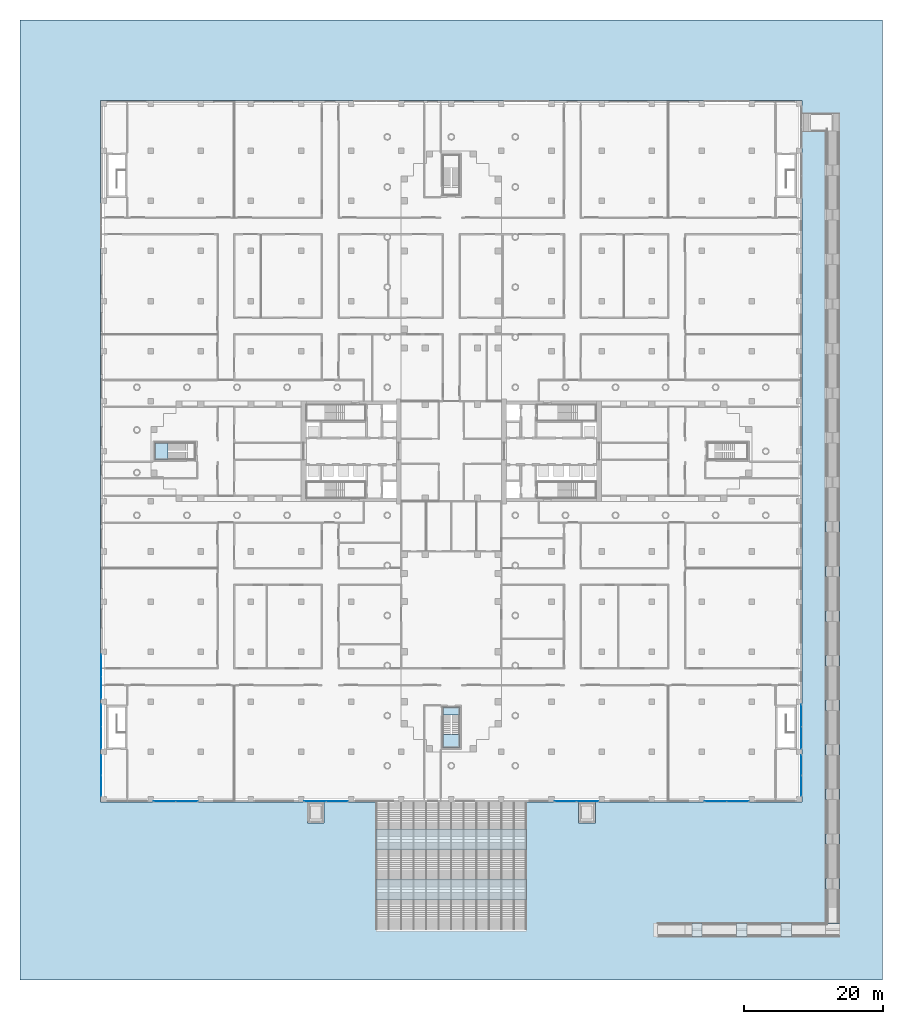
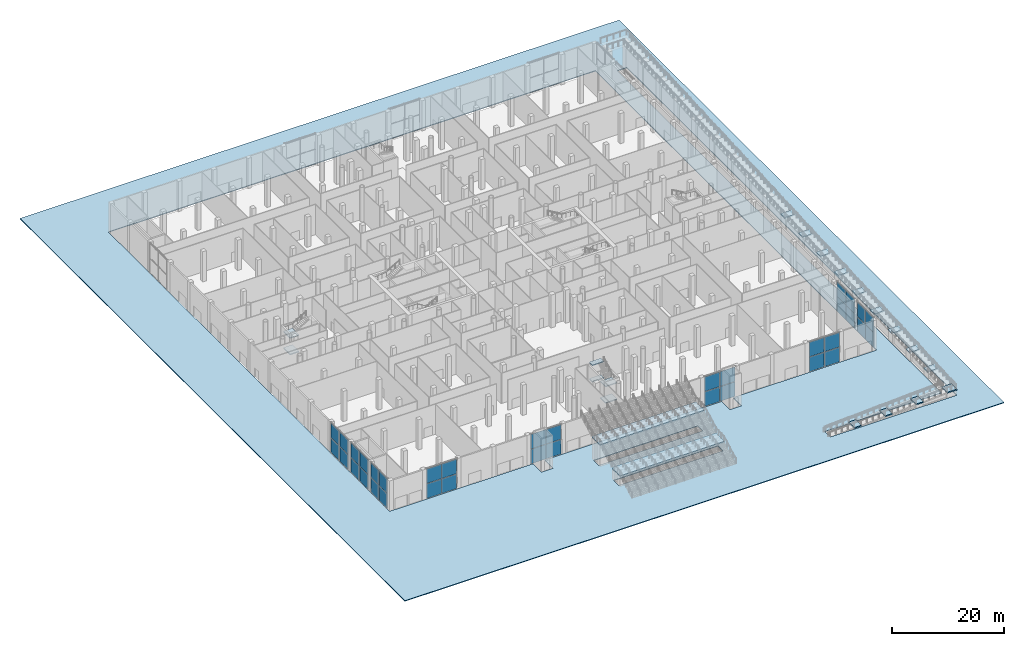
# One storey, part 12 of 44: 36 plates, 22 slabs, 13 elements without a shape of their own.
"""IFC4 building model written with IfcOpenShell, lengths in metres."""

from ifc_helpers import new_model, si_unit, direction, frame, origin, origin_2d, place, context, subcontext, project, spatial, polyline, rectangle, outline, extrude, material, layer, layer_set, type_object, element, aggregate, save


model = new_model("IFC4")

# Units and contexts
model_context = context("Model", 3, precision=1e-05, world=origin(), true_north=direction((0.0, 1.0)))
body_context = subcontext(model_context, "Body", "Model", "MODEL_VIEW")
ifc_project = project(units=[si_unit("LENGTHUNIT", "METRE"), si_unit("AREAUNIT", "SQUARE_METRE"), si_unit("VOLUMEUNIT", "CUBIC_METRE"), si_unit("PLANEANGLEUNIT", "RADIAN"), si_unit("MASSUNIT", "GRAM", prefix="KILO")], contexts=[model_context])

# Site, building, storey
site_placement = place(None, origin())
site = spatial("IfcSite", under=ifc_project, at=site_placement, CompositionType="ELEMENT")
building_placement = place(site_placement, origin())
building = spatial("IfcBuilding", under=site, at=building_placement, Name="Fustian Cross Tower", CompositionType="ELEMENT")
storey_placement = place(building_placement, origin())
storey = spatial("IfcBuildingStorey", under=building, at=storey_placement, Name="L00", CompositionType="ELEMENT", Elevation=0.0)

# Curtain wall, plates
ifc_material_1 = material(Name="Glass", Category="glass")
curtain_wall_type = type_object("IfcCurtainWallType", Name="CW3 CURTAIN WALL", PredefinedType="NOTDEFINED", material=ifc_material_1)
curtain_wall_1_placement = place(storey_placement, origin())
curtain_wall_1 = element("IfcCurtainWall", 1, at=curtain_wall_1_placement, inside=storey, type_object=curtain_wall_type, Name="Curtain wall CW3", PredefinedType="NOTDEFINED")
ifc_material_2 = material(Name="Glass", Category="glass")
ifc_layer_1 = layer(ifc_material_2, 0.028076171875)
ifc_layer_set_1 = layer_set([ifc_layer_1], Name="Glass")
plate_type = type_object("IfcPlateType", Name="CW3 PANEL IGU28", PredefinedType="CURTAIN_PANEL", material=ifc_layer_set_1)
plate_1_placement = place(storey_placement, frame((-41.18505859375, -50.320068359375, 0.06005859375), z_axis=(0.0, 0.0, 1.0), x_axis=(1.0, 0.0, 0.0)))
plate_1 = element("IfcPlate", 2, at=plate_1_placement, type_object=plate_type, Name="CW3 panel 1.1", PredefinedType="CURTAIN_PANEL", context=body_context, shape_type="SweptSolid", body=[
    extrude(rectangle(XDim=3.110107421875, YDim=0.028076171875, at=origin_2d()), origin(), (0.0, 0.0, 1.0), 3.2099609375),
])
plate_2_placement = place(storey_placement, frame((-41.18505859375, -50.320068359375, 3.330078125), z_axis=(0.0, 0.0, 1.0), x_axis=(1.0, 0.0, 0.0)))
plate_2 = element("IfcPlate", 3, at=plate_2_placement, type_object=plate_type, Name="CW3 panel 1.2", PredefinedType="CURTAIN_PANEL", context=body_context, shape_type="SweptSolid", body=[
    extrude(rectangle(XDim=3.110107421875, YDim=0.028076171875, at=origin_2d()), origin(), (0.0, 0.0, 1.0), 3.2099609375),
])
plate_3_placement = place(storey_placement, frame((-38.014892578125, -50.320068359375, 0.06005859375), z_axis=(0.0, 0.0, 1.0), x_axis=(1.0, 0.0, 0.0)))
plate_3 = element("IfcPlate", 4, at=plate_3_placement, type_object=plate_type, Name="CW3 panel 2.1", PredefinedType="CURTAIN_PANEL", context=body_context, shape_type="SweptSolid", body=[
    extrude(rectangle(XDim=3.110107421875, YDim=0.028076171875, at=origin_2d()), origin(), (0.0, 0.0, 1.0), 3.2099609375),
])
plate_4_placement = place(storey_placement, frame((-38.014892578125, -50.320068359375, 3.330078125), z_axis=(0.0, 0.0, 1.0), x_axis=(1.0, 0.0, 0.0)))
plate_4 = element("IfcPlate", 5, at=plate_4_placement, type_object=plate_type, Name="CW3 panel 2.2", PredefinedType="CURTAIN_PANEL", context=body_context, shape_type="SweptSolid", body=[
    extrude(rectangle(XDim=3.110107421875, YDim=0.028076171875, at=origin_2d()), origin(), (0.0, 0.0, 1.0), 3.2099609375),
])
aggregate(curtain_wall_1, [plate_1, plate_2, plate_3, plate_4])

curtain_wall_2_placement = place(storey_placement, origin())
curtain_wall_2 = element("IfcCurtainWall", 6, at=curtain_wall_2_placement, inside=storey, type_object=curtain_wall_type, Name="Curtain wall CW3", PredefinedType="NOTDEFINED")
plate_5_placement = place(storey_placement, frame((-19.5849609375, -50.320068359375, 0.06005859375), z_axis=(0.0, 0.0, 1.0), x_axis=(1.0, 0.0, 0.0)))
plate_5 = element("IfcPlate", 7, at=plate_5_placement, type_object=plate_type, Name="CW3 panel 1.1", PredefinedType="CURTAIN_PANEL", context=body_context, shape_type="SweptSolid", body=[
    extrude(rectangle(XDim=3.110107421875, YDim=0.028076171875, at=origin_2d()), origin(), (0.0, 0.0, 1.0), 3.2099609375),
])
plate_6_placement = place(storey_placement, frame((-19.5849609375, -50.320068359375, 3.330078125), z_axis=(0.0, 0.0, 1.0), x_axis=(1.0, 0.0, 0.0)))
plate_6 = element("IfcPlate", 8, at=plate_6_placement, type_object=plate_type, Name="CW3 panel 1.2", PredefinedType="CURTAIN_PANEL", context=body_context, shape_type="SweptSolid", body=[
    extrude(rectangle(XDim=3.110107421875, YDim=0.028076171875, at=origin_2d()), origin(), (0.0, 0.0, 1.0), 3.2099609375),
])
plate_7_placement = place(storey_placement, frame((-16.4150390625, -50.320068359375, 0.06005859375), z_axis=(0.0, 0.0, 1.0), x_axis=(1.0, 0.0, 0.0)))
plate_7 = element("IfcPlate", 9, at=plate_7_placement, type_object=plate_type, Name="CW3 panel 2.1", PredefinedType="CURTAIN_PANEL", context=body_context, shape_type="SweptSolid", body=[
    extrude(rectangle(XDim=3.110107421875, YDim=0.028076171875, at=origin_2d()), origin(), (0.0, 0.0, 1.0), 3.2099609375),
])
plate_8_placement = place(storey_placement, frame((-16.4150390625, -50.320068359375, 3.330078125), z_axis=(0.0, 0.0, 1.0), x_axis=(1.0, 0.0, 0.0)))
plate_8 = element("IfcPlate", 10, at=plate_8_placement, type_object=plate_type, Name="CW3 panel 2.2", PredefinedType="CURTAIN_PANEL", context=body_context, shape_type="SweptSolid", body=[
    extrude(rectangle(XDim=3.110107421875, YDim=0.028076171875, at=origin_2d()), origin(), (0.0, 0.0, 1.0), 3.2099609375),
])
aggregate(curtain_wall_2, [plate_5, plate_6, plate_7, plate_8])

curtain_wall_3_placement = place(storey_placement, origin())
curtain_wall_3 = element("IfcCurtainWall", 11, at=curtain_wall_3_placement, inside=storey, type_object=curtain_wall_type, Name="Curtain wall CW3", PredefinedType="NOTDEFINED")
plate_9_placement = place(storey_placement, frame((16.4150390625, -50.320068359375, 0.06005859375), z_axis=(0.0, 0.0, 1.0), x_axis=(1.0, 0.0, 0.0)))
plate_9 = element("IfcPlate", 12, at=plate_9_placement, type_object=plate_type, Name="CW3 panel 1.1", PredefinedType="CURTAIN_PANEL", context=body_context, shape_type="SweptSolid", body=[
    extrude(rectangle(XDim=3.110107421875, YDim=0.028076171875, at=origin_2d()), origin(), (0.0, 0.0, 1.0), 3.2099609375),
])
plate_10_placement = place(storey_placement, frame((16.4150390625, -50.320068359375, 3.330078125), z_axis=(0.0, 0.0, 1.0), x_axis=(1.0, 0.0, 0.0)))
plate_10 = element("IfcPlate", 13, at=plate_10_placement, type_object=plate_type, Name="CW3 panel 1.2", PredefinedType="CURTAIN_PANEL", context=body_context, shape_type="SweptSolid", body=[
    extrude(rectangle(XDim=3.110107421875, YDim=0.028076171875, at=origin_2d()), origin(), (0.0, 0.0, 1.0), 3.2099609375),
])
plate_11_placement = place(storey_placement, frame((19.5849609375, -50.320068359375, 0.06005859375), z_axis=(0.0, 0.0, 1.0), x_axis=(1.0, 0.0, 0.0)))
plate_11 = element("IfcPlate", 14, at=plate_11_placement, type_object=plate_type, Name="CW3 panel 2.1", PredefinedType="CURTAIN_PANEL", context=body_context, shape_type="SweptSolid", body=[
    extrude(rectangle(XDim=3.110107421875, YDim=0.028076171875, at=origin_2d()), origin(), (0.0, 0.0, 1.0), 3.2099609375),
])
plate_12_placement = place(storey_placement, frame((19.5849609375, -50.320068359375, 3.330078125), z_axis=(0.0, 0.0, 1.0), x_axis=(1.0, 0.0, 0.0)))
plate_12 = element("IfcPlate", 15, at=plate_12_placement, type_object=plate_type, Name="CW3 panel 2.2", PredefinedType="CURTAIN_PANEL", context=body_context, shape_type="SweptSolid", body=[
    extrude(rectangle(XDim=3.110107421875, YDim=0.028076171875, at=origin_2d()), origin(), (0.0, 0.0, 1.0), 3.2099609375),
])
aggregate(curtain_wall_3, [plate_9, plate_10, plate_11, plate_12])

curtain_wall_4_placement = place(storey_placement, origin())
curtain_wall_4 = element("IfcCurtainWall", 16, at=curtain_wall_4_placement, inside=storey, type_object=curtain_wall_type, Name="Curtain wall CW3", PredefinedType="NOTDEFINED")
plate_13_placement = place(storey_placement, frame((38.014892578125, -50.320068359375, 0.06005859375), z_axis=(0.0, 0.0, 1.0), x_axis=(1.0, 0.0, 0.0)))
plate_13 = element("IfcPlate", 17, at=plate_13_placement, type_object=plate_type, Name="CW3 panel 1.1", PredefinedType="CURTAIN_PANEL", context=body_context, shape_type="SweptSolid", body=[
    extrude(rectangle(XDim=3.110107421875, YDim=0.028076171875, at=origin_2d()), origin(), (0.0, 0.0, 1.0), 3.2099609375),
])
plate_14_placement = place(storey_placement, frame((38.014892578125, -50.320068359375, 3.330078125), z_axis=(0.0, 0.0, 1.0), x_axis=(1.0, 0.0, 0.0)))
plate_14 = element("IfcPlate", 18, at=plate_14_placement, type_object=plate_type, Name="CW3 panel 1.2", PredefinedType="CURTAIN_PANEL", context=body_context, shape_type="SweptSolid", body=[
    extrude(rectangle(XDim=3.110107421875, YDim=0.028076171875, at=origin_2d()), origin(), (0.0, 0.0, 1.0), 3.2099609375),
])
plate_15_placement = place(storey_placement, frame((41.18505859375, -50.320068359375, 0.06005859375), z_axis=(0.0, 0.0, 1.0), x_axis=(1.0, 0.0, 0.0)))
plate_15 = element("IfcPlate", 19, at=plate_15_placement, type_object=plate_type, Name="CW3 panel 2.1", PredefinedType="CURTAIN_PANEL", context=body_context, shape_type="SweptSolid", body=[
    extrude(rectangle(XDim=3.110107421875, YDim=0.028076171875, at=origin_2d()), origin(), (0.0, 0.0, 1.0), 3.2099609375),
])
plate_16_placement = place(storey_placement, frame((41.18505859375, -50.320068359375, 3.330078125), z_axis=(0.0, 0.0, 1.0), x_axis=(1.0, 0.0, 0.0)))
plate_16 = element("IfcPlate", 20, at=plate_16_placement, type_object=plate_type, Name="CW3 panel 2.2", PredefinedType="CURTAIN_PANEL", context=body_context, shape_type="SweptSolid", body=[
    extrude(rectangle(XDim=3.110107421875, YDim=0.028076171875, at=origin_2d()), origin(), (0.0, 0.0, 1.0), 3.2099609375),
])
aggregate(curtain_wall_4, [plate_13, plate_14, plate_15, plate_16])

curtain_wall_5_placement = place(storey_placement, origin())
curtain_wall_5 = element("IfcCurtainWall", 21, at=curtain_wall_5_placement, inside=storey, type_object=curtain_wall_type, Name="Curtain wall CW3", PredefinedType="NOTDEFINED")
plate_17_placement = place(storey_placement, frame((50.320068359375, -48.0849609375, 0.06005859375), z_axis=(0.0, 0.0, 1.0), x_axis=(0.0, 1.0, 0.0)))
plate_17 = element("IfcPlate", 22, at=plate_17_placement, type_object=plate_type, Name="CW3 panel 1.1", PredefinedType="CURTAIN_PANEL", context=body_context, shape_type="SweptSolid", body=[
    extrude(rectangle(XDim=2.909912109375, YDim=0.028076171875, at=origin_2d()), origin(), (0.0, 0.0, 1.0), 3.2099609375),
])
plate_18_placement = place(storey_placement, frame((50.320068359375, -48.0849609375, 3.330078125), z_axis=(0.0, 0.0, 1.0), x_axis=(0.0, 1.0, 0.0)))
plate_18 = element("IfcPlate", 23, at=plate_18_placement, type_object=plate_type, Name="CW3 panel 1.2", PredefinedType="CURTAIN_PANEL", context=body_context, shape_type="SweptSolid", body=[
    extrude(rectangle(XDim=2.909912109375, YDim=0.028076171875, at=origin_2d()), origin(), (0.0, 0.0, 1.0), 3.2099609375),
])
plate_19_placement = place(storey_placement, frame((50.320068359375, -45.114990234375, 0.06005859375), z_axis=(0.0, 0.0, 1.0), x_axis=(0.0, 1.0, 0.0)))
plate_19 = element("IfcPlate", 24, at=plate_19_placement, type_object=plate_type, Name="CW3 panel 2.1", PredefinedType="CURTAIN_PANEL", context=body_context, shape_type="SweptSolid", body=[
    extrude(rectangle(XDim=2.909912109375, YDim=0.028076171875, at=origin_2d()), origin(), (0.0, 0.0, 1.0), 3.2099609375),
])
plate_20_placement = place(storey_placement, frame((50.320068359375, -45.114990234375, 3.330078125), z_axis=(0.0, 0.0, 1.0), x_axis=(0.0, 1.0, 0.0)))
plate_20 = element("IfcPlate", 25, at=plate_20_placement, type_object=plate_type, Name="CW3 panel 2.2", PredefinedType="CURTAIN_PANEL", context=body_context, shape_type="SweptSolid", body=[
    extrude(rectangle(XDim=2.909912109375, YDim=0.028076171875, at=origin_2d()), origin(), (0.0, 0.0, 1.0), 3.2099609375),
])
aggregate(curtain_wall_5, [plate_17, plate_18, plate_19, plate_20])

curtain_wall_6_placement = place(storey_placement, origin())
curtain_wall_6 = element("IfcCurtainWall", 26, at=curtain_wall_6_placement, inside=storey, type_object=curtain_wall_type, Name="Curtain wall CW3", PredefinedType="NOTDEFINED")
plate_21_placement = place(storey_placement, frame((50.320068359375, -41.18505859375, 0.06005859375), z_axis=(0.0, 0.0, 1.0), x_axis=(0.0, 1.0, 0.0)))
plate_21 = element("IfcPlate", 27, at=plate_21_placement, type_object=plate_type, Name="CW3 panel 1.1", PredefinedType="CURTAIN_PANEL", context=body_context, shape_type="SweptSolid", body=[
    extrude(rectangle(XDim=3.110107421875, YDim=0.028076171875, at=origin_2d()), origin(), (0.0, 0.0, 1.0), 3.2099609375),
])
plate_22_placement = place(storey_placement, frame((50.320068359375, -41.18505859375, 3.330078125), z_axis=(0.0, 0.0, 1.0), x_axis=(0.0, 1.0, 0.0)))
plate_22 = element("IfcPlate", 28, at=plate_22_placement, type_object=plate_type, Name="CW3 panel 1.2", PredefinedType="CURTAIN_PANEL", context=body_context, shape_type="SweptSolid", body=[
    extrude(rectangle(XDim=3.110107421875, YDim=0.028076171875, at=origin_2d()), origin(), (0.0, 0.0, 1.0), 3.2099609375),
])
plate_23_placement = place(storey_placement, frame((50.320068359375, -38.014892578125, 0.06005859375), z_axis=(0.0, 0.0, 1.0), x_axis=(0.0, 1.0, 0.0)))
plate_23 = element("IfcPlate", 29, at=plate_23_placement, type_object=plate_type, Name="CW3 panel 2.1", PredefinedType="CURTAIN_PANEL", context=body_context, shape_type="SweptSolid", body=[
    extrude(rectangle(XDim=3.110107421875, YDim=0.028076171875, at=origin_2d()), origin(), (0.0, 0.0, 1.0), 3.2099609375),
])
plate_24_placement = place(storey_placement, frame((50.320068359375, -38.014892578125, 3.330078125), z_axis=(0.0, 0.0, 1.0), x_axis=(0.0, 1.0, 0.0)))
plate_24 = element("IfcPlate", 30, at=plate_24_placement, type_object=plate_type, Name="CW3 panel 2.2", PredefinedType="CURTAIN_PANEL", context=body_context, shape_type="SweptSolid", body=[
    extrude(rectangle(XDim=3.110107421875, YDim=0.028076171875, at=origin_2d()), origin(), (0.0, 0.0, 1.0), 3.2099609375),
])
aggregate(curtain_wall_6, [plate_21, plate_22, plate_23, plate_24])

curtain_wall_7_placement = place(storey_placement, origin())
curtain_wall_7 = element("IfcCurtainWall", 31, at=curtain_wall_7_placement, inside=storey, type_object=curtain_wall_type, Name="Curtain wall CW3", PredefinedType="NOTDEFINED")
plate_25_placement = place(storey_placement, frame((-50.320068359375, -30.81494140625, 0.06005859375), z_axis=(0.0, 0.0, 1.0), x_axis=(0.0, -1.0, 0.0)))
plate_25 = element("IfcPlate", 32, at=plate_25_placement, type_object=plate_type, Name="CW3 panel 1.1", PredefinedType="CURTAIN_PANEL", context=body_context, shape_type="SweptSolid", body=[
    extrude(rectangle(XDim=3.110107421875, YDim=0.028076171875, at=origin_2d()), origin(), (0.0, 0.0, 1.0), 3.2099609375),
])
plate_26_placement = place(storey_placement, frame((-50.320068359375, -30.81494140625, 3.330078125), z_axis=(0.0, 0.0, 1.0), x_axis=(0.0, -1.0, 0.0)))
plate_26 = element("IfcPlate", 33, at=plate_26_placement, type_object=plate_type, Name="CW3 panel 1.2", PredefinedType="CURTAIN_PANEL", context=body_context, shape_type="SweptSolid", body=[
    extrude(rectangle(XDim=3.110107421875, YDim=0.028076171875, at=origin_2d()), origin(), (0.0, 0.0, 1.0), 3.2099609375),
])
plate_27_placement = place(storey_placement, frame((-50.320068359375, -33.985107421875, 0.06005859375), z_axis=(0.0, 0.0, 1.0), x_axis=(0.0, -1.0, 0.0)))
plate_27 = element("IfcPlate", 34, at=plate_27_placement, type_object=plate_type, Name="CW3 panel 2.1", PredefinedType="CURTAIN_PANEL", context=body_context, shape_type="SweptSolid", body=[
    extrude(rectangle(XDim=3.110107421875, YDim=0.028076171875, at=origin_2d()), origin(), (0.0, 0.0, 1.0), 3.2099609375),
])
plate_28_placement = place(storey_placement, frame((-50.320068359375, -33.985107421875, 3.330078125), z_axis=(0.0, 0.0, 1.0), x_axis=(0.0, -1.0, 0.0)))
plate_28 = element("IfcPlate", 35, at=plate_28_placement, type_object=plate_type, Name="CW3 panel 2.2", PredefinedType="CURTAIN_PANEL", context=body_context, shape_type="SweptSolid", body=[
    extrude(rectangle(XDim=3.110107421875, YDim=0.028076171875, at=origin_2d()), origin(), (0.0, 0.0, 1.0), 3.2099609375),
])
aggregate(curtain_wall_7, [plate_25, plate_26, plate_27, plate_28])

curtain_wall_8_placement = place(storey_placement, origin())
curtain_wall_8 = element("IfcCurtainWall", 36, at=curtain_wall_8_placement, inside=storey, type_object=curtain_wall_type, Name="Curtain wall CW3", PredefinedType="NOTDEFINED")
plate_29_placement = place(storey_placement, frame((-50.320068359375, -38.014892578125, 0.06005859375), z_axis=(0.0, 0.0, 1.0), x_axis=(0.0, -1.0, 0.0)))
plate_29 = element("IfcPlate", 37, at=plate_29_placement, type_object=plate_type, Name="CW3 panel 1.1", PredefinedType="CURTAIN_PANEL", context=body_context, shape_type="SweptSolid", body=[
    extrude(rectangle(XDim=3.110107421875, YDim=0.028076171875, at=origin_2d()), origin(), (0.0, 0.0, 1.0), 3.2099609375),
])
plate_30_placement = place(storey_placement, frame((-50.320068359375, -38.014892578125, 3.330078125), z_axis=(0.0, 0.0, 1.0), x_axis=(0.0, -1.0, 0.0)))
plate_30 = element("IfcPlate", 38, at=plate_30_placement, type_object=plate_type, Name="CW3 panel 1.2", PredefinedType="CURTAIN_PANEL", context=body_context, shape_type="SweptSolid", body=[
    extrude(rectangle(XDim=3.110107421875, YDim=0.028076171875, at=origin_2d()), origin(), (0.0, 0.0, 1.0), 3.2099609375),
])
plate_31_placement = place(storey_placement, frame((-50.320068359375, -41.18505859375, 0.06005859375), z_axis=(0.0, 0.0, 1.0), x_axis=(0.0, -1.0, 0.0)))
plate_31 = element("IfcPlate", 39, at=plate_31_placement, type_object=plate_type, Name="CW3 panel 2.1", PredefinedType="CURTAIN_PANEL", context=body_context, shape_type="SweptSolid", body=[
    extrude(rectangle(XDim=3.110107421875, YDim=0.028076171875, at=origin_2d()), origin(), (0.0, 0.0, 1.0), 3.2099609375),
])
plate_32_placement = place(storey_placement, frame((-50.320068359375, -41.18505859375, 3.330078125), z_axis=(0.0, 0.0, 1.0), x_axis=(0.0, -1.0, 0.0)))
plate_32 = element("IfcPlate", 40, at=plate_32_placement, type_object=plate_type, Name="CW3 panel 2.2", PredefinedType="CURTAIN_PANEL", context=body_context, shape_type="SweptSolid", body=[
    extrude(rectangle(XDim=3.110107421875, YDim=0.028076171875, at=origin_2d()), origin(), (0.0, 0.0, 1.0), 3.2099609375),
])
aggregate(curtain_wall_8, [plate_29, plate_30, plate_31, plate_32])

curtain_wall_9_placement = place(storey_placement, origin())
curtain_wall_9 = element("IfcCurtainWall", 41, at=curtain_wall_9_placement, inside=storey, type_object=curtain_wall_type, Name="Curtain wall CW3", PredefinedType="NOTDEFINED")
plate_33_placement = place(storey_placement, frame((-50.320068359375, -45.114990234375, 0.06005859375), z_axis=(0.0, 0.0, 1.0), x_axis=(0.0, -1.0, 0.0)))
plate_33 = element("IfcPlate", 42, at=plate_33_placement, type_object=plate_type, Name="CW3 panel 1.1", PredefinedType="CURTAIN_PANEL", context=body_context, shape_type="SweptSolid", body=[
    extrude(rectangle(XDim=2.909912109375, YDim=0.028076171875, at=origin_2d()), origin(), (0.0, 0.0, 1.0), 3.2099609375),
])
plate_34_placement = place(storey_placement, frame((-50.320068359375, -45.114990234375, 3.330078125), z_axis=(0.0, 0.0, 1.0), x_axis=(0.0, -1.0, 0.0)))
plate_34 = element("IfcPlate", 43, at=plate_34_placement, type_object=plate_type, Name="CW3 panel 1.2", PredefinedType="CURTAIN_PANEL", context=body_context, shape_type="SweptSolid", body=[
    extrude(rectangle(XDim=2.909912109375, YDim=0.028076171875, at=origin_2d()), origin(), (0.0, 0.0, 1.0), 3.2099609375),
])
plate_35_placement = place(storey_placement, frame((-50.320068359375, -48.0849609375, 0.06005859375), z_axis=(0.0, 0.0, 1.0), x_axis=(0.0, -1.0, 0.0)))
plate_35 = element("IfcPlate", 44, at=plate_35_placement, type_object=plate_type, Name="CW3 panel 2.1", PredefinedType="CURTAIN_PANEL", context=body_context, shape_type="SweptSolid", body=[
    extrude(rectangle(XDim=2.909912109375, YDim=0.028076171875, at=origin_2d()), origin(), (0.0, 0.0, 1.0), 3.2099609375),
])
plate_36_placement = place(storey_placement, frame((-50.320068359375, -48.0849609375, 3.330078125), z_axis=(0.0, 0.0, 1.0), x_axis=(0.0, -1.0, 0.0)))
plate_36 = element("IfcPlate", 45, at=plate_36_placement, type_object=plate_type, Name="CW3 panel 2.2", PredefinedType="CURTAIN_PANEL", context=body_context, shape_type="SweptSolid", body=[
    extrude(rectangle(XDim=2.909912109375, YDim=0.028076171875, at=origin_2d()), origin(), (0.0, 0.0, 1.0), 3.2099609375),
])
aggregate(curtain_wall_9, [plate_33, plate_34, plate_35, plate_36])

# Slab
ifc_material_3 = material(Name="Granite paving", Category="masonry")
ifc_layer_2 = layer(ifc_material_3, 0.14990234375)
ifc_layer_set_2 = layer_set([ifc_layer_2], Name="Granite paving")
slab_type_1 = type_object("IfcSlabType", Name="PLAZA PAVING 150", PredefinedType="USERDEFINED", material=ifc_layer_set_2)
slab_1_placement = place(storey_placement, frame((0.0, 0.0, -0.14990234375)))
element("IfcSlab", 46, at=slab_1_placement, inside=storey, type_object=slab_type_1, Name="Plaza paving 1", ObjectType="PAVING", PredefinedType="USERDEFINED", context=body_context, shape_type="SweptSolid", body=[
    extrude(outline(polyline([(-62.0, 62.0), (-62.0, -76.0), (62.0, -76.0), (62.0, 62.0), (-62.0, 62.0)]), holes=[polyline([(-18.300048828125, -53.39990234375), (-18.300048828125, -50.39990234375), (18.300048828125, -50.39990234375), (18.300048828125, -53.39990234375), (20.699951171875, -53.39990234375), (20.699951171875, -50.39990234375), (50.39990234375, -50.39990234375), (50.39990234375, 50.39990234375), (-50.39990234375, 50.39990234375), (-50.39990234375, -50.39990234375), (-20.699951171875, -50.39990234375), (-20.699951171875, -53.39990234375), (-18.300048828125, -53.39990234375)]), polyline([(53.800048828125, 48.463623046875), (53.800048828125, -67.800048828125), (29.66357421875, -67.800048828125), (29.66357421875, -69.800048828125), (53.800048828125, -69.800048828125), (55.800048828125, -69.800048828125), (55.800048828125, -67.800048828125), (55.800048828125, 48.463623046875), (53.800048828125, 48.463623046875)]), polyline([(-10.800048828125, -62.10009765625), (-10.800048828125, -63.89990234375), (10.800048828125, -63.89990234375), (10.800048828125, -62.10009765625), (-10.800048828125, -62.10009765625)]), polyline([(10.800048828125, -54.89990234375), (-10.800048828125, -54.89990234375), (-10.800048828125, -56.699951171875), (10.800048828125, -56.699951171875), (10.800048828125, -54.89990234375)])]), origin(), (0.0, 0.0, 1.0), 0.14990234375),
])

# Ramp, slabs
ifc_material_4 = material(Name="Concrete C40/50", Category="concrete")
ramp_placement = place(storey_placement, origin())
ramp = element("IfcRamp", 47, at=ramp_placement, inside=storey, material=ifc_material_4, Name="Public ramp", PredefinedType="STRAIGHT_RUN_RAMP")
ifc_material_5 = material(Name="Concrete C40/50", Category="concrete")
ifc_layer_3 = layer(ifc_material_5, 0.25)
ifc_layer_set_3 = layer_set([ifc_layer_3], Name="Concrete C40/50")
slab_type_2 = type_object("IfcSlabType", Name="RL1 RAMP LANDING 250", PredefinedType="LANDING", material=ifc_layer_set_3)
slab_2_placement = place(storey_placement, frame((0.0, 0.0, 0.07421875)))
slab_2 = element("IfcSlab", 48, at=slab_2_placement, type_object=slab_type_2, Name="Ramp landing 1", PredefinedType="LANDING", context=body_context, shape_type="SweptSolid", body=[
    extrude(outline(polyline([(34.57275390625, -69.800048828125), (36.07275390625, -69.800048828125), (36.07275390625, -67.800048828125), (34.57275390625, -67.800048828125), (34.57275390625, -69.800048828125)])), origin(), (0.0, 0.0, 1.0), 0.253173828125),
])
slab_3_placement = place(storey_placement, frame((0.0, 0.0, 0.401611328125)))
slab_3 = element("IfcSlab", 49, at=slab_3_placement, type_object=slab_type_2, Name="Ramp landing 2", PredefinedType="LANDING", context=body_context, shape_type="SweptSolid", body=[
    extrude(outline(polyline([(40.98193359375, -69.800048828125), (42.48193359375, -69.800048828125), (42.48193359375, -67.800048828125), (40.98193359375, -67.800048828125), (40.98193359375, -69.800048828125)])), origin(), (0.0, 0.0, 1.0), 0.2529296875),
])
slab_4_placement = place(storey_placement, frame((0.0, 0.0, 0.728759765625)))
slab_4 = element("IfcSlab", 50, at=slab_4_placement, type_object=slab_type_2, Name="Ramp landing 3", PredefinedType="LANDING", context=body_context, shape_type="SweptSolid", body=[
    extrude(outline(polyline([(47.390869140625, -69.800048828125), (48.890869140625, -69.800048828125), (48.890869140625, -67.800048828125), (47.390869140625, -67.800048828125), (47.390869140625, -69.800048828125)])), origin(), (0.0, 0.0, 1.0), 0.253173828125),
])
slab_5_placement = place(storey_placement, frame((0.0, 0.0, 1.05615234375)))
slab_5 = element("IfcSlab", 51, at=slab_5_placement, type_object=slab_type_2, Name="Ramp landing 4", PredefinedType="LANDING", context=body_context, shape_type="SweptSolid", body=[
    extrude(outline(polyline([(53.800048828125, -69.800048828125), (55.800048828125, -69.800048828125), (55.800048828125, -67.800048828125), (53.800048828125, -67.800048828125), (53.800048828125, -69.800048828125)])), origin(), (0.0, 0.0, 1.0), 0.2529296875),
])
slab_6_placement = place(storey_placement, frame((0.0, 0.0, 1.38330078125)))
slab_6 = element("IfcSlab", 52, at=slab_6_placement, type_object=slab_type_2, Name="Ramp landing 5", PredefinedType="LANDING", context=body_context, shape_type="SweptSolid", body=[
    extrude(outline(polyline([(53.800048828125, -62.890869140625), (55.800048828125, -62.890869140625), (55.800048828125, -61.390869140625), (53.800048828125, -61.390869140625), (53.800048828125, -62.890869140625)])), origin(), (0.0, 0.0, 1.0), 0.253173828125),
])
slab_7_placement = place(storey_placement, frame((0.0, 0.0, 1.710693359375)))
slab_7 = element("IfcSlab", 53, at=slab_7_placement, type_object=slab_type_2, Name="Ramp landing 6", PredefinedType="LANDING", context=body_context, shape_type="SweptSolid", body=[
    extrude(outline(polyline([(53.800048828125, -56.48193359375), (55.800048828125, -56.48193359375), (55.800048828125, -54.98193359375), (53.800048828125, -54.98193359375), (53.800048828125, -56.48193359375)])), origin(), (0.0, 0.0, 1.0), 0.2529296875),
])
slab_8_placement = place(storey_placement, frame((0.0, 0.0, 2.037841796875)))
slab_8 = element("IfcSlab", 54, at=slab_8_placement, type_object=slab_type_2, Name="Ramp landing 7", PredefinedType="LANDING", context=body_context, shape_type="SweptSolid", body=[
    extrude(outline(polyline([(53.800048828125, -50.07275390625), (55.800048828125, -50.07275390625), (55.800048828125, -48.57275390625), (53.800048828125, -48.57275390625), (53.800048828125, -50.07275390625)])), origin(), (0.0, 0.0, 1.0), 0.253173828125),
])
slab_9_placement = place(storey_placement, frame((0.0, 0.0, 2.365234375)))
slab_9 = element("IfcSlab", 55, at=slab_9_placement, type_object=slab_type_2, Name="Ramp landing 8", PredefinedType="LANDING", context=body_context, shape_type="SweptSolid", body=[
    extrude(outline(polyline([(53.800048828125, -43.66357421875), (55.800048828125, -43.66357421875), (55.800048828125, -42.16357421875), (53.800048828125, -42.16357421875), (53.800048828125, -43.66357421875)])), origin(), (0.0, 0.0, 1.0), 0.2529296875),
])
slab_10_placement = place(storey_placement, frame((0.0, 0.0, 2.6923828125)))
slab_10 = element("IfcSlab", 56, at=slab_10_placement, type_object=slab_type_2, Name="Ramp landing 9", PredefinedType="LANDING", context=body_context, shape_type="SweptSolid", body=[
    extrude(outline(polyline([(53.800048828125, -37.254638671875), (55.800048828125, -37.254638671875), (55.800048828125, -35.754638671875), (53.800048828125, -35.754638671875), (53.800048828125, -37.254638671875)])), origin(), (0.0, 0.0, 1.0), 0.253173828125),
])
slab_11_placement = place(storey_placement, frame((0.0, 0.0, 3.019775390625)))
slab_11 = element("IfcSlab", 57, at=slab_11_placement, type_object=slab_type_2, Name="Ramp landing 10", PredefinedType="LANDING", context=body_context, shape_type="SweptSolid", body=[
    extrude(outline(polyline([(53.800048828125, -30.845458984375), (55.800048828125, -30.845458984375), (55.800048828125, -29.345458984375), (53.800048828125, -29.345458984375), (53.800048828125, -30.845458984375)])), origin(), (0.0, 0.0, 1.0), 0.2529296875),
])
slab_12_placement = place(storey_placement, frame((0.0, 0.0, 3.346923828125)))
slab_12 = element("IfcSlab", 58, at=slab_12_placement, type_object=slab_type_2, Name="Ramp landing 11", PredefinedType="LANDING", context=body_context, shape_type="SweptSolid", body=[
    extrude(outline(polyline([(53.800048828125, -24.436279296875), (55.800048828125, -24.436279296875), (55.800048828125, -22.936279296875), (53.800048828125, -22.936279296875), (53.800048828125, -24.436279296875)])), origin(), (0.0, 0.0, 1.0), 0.253173828125),
])
slab_13_placement = place(storey_placement, frame((0.0, 0.0, 3.67431640625)))
slab_13 = element("IfcSlab", 59, at=slab_13_placement, type_object=slab_type_2, Name="Ramp landing 12", PredefinedType="LANDING", context=body_context, shape_type="SweptSolid", body=[
    extrude(outline(polyline([(53.800048828125, -18.02734375), (55.800048828125, -18.02734375), (55.800048828125, -16.52734375), (53.800048828125, -16.52734375), (53.800048828125, -18.02734375)])), origin(), (0.0, 0.0, 1.0), 0.2529296875),
])
slab_14_placement = place(storey_placement, frame((0.0, 0.0, 4.00146484375)))
slab_14 = element("IfcSlab", 60, at=slab_14_placement, type_object=slab_type_2, Name="Ramp landing 13", PredefinedType="LANDING", context=body_context, shape_type="SweptSolid", body=[
    extrude(outline(polyline([(53.800048828125, -11.6181640625), (55.800048828125, -11.6181640625), (55.800048828125, -10.1181640625), (53.800048828125, -10.1181640625), (53.800048828125, -11.6181640625)])), origin(), (0.0, 0.0, 1.0), 0.253173828125),
])
aggregate(ramp, [slab_2, slab_3, slab_4, slab_5, slab_6, slab_7, slab_8, slab_9, slab_10, slab_11, slab_12, slab_13, slab_14])

# Stair, slabs
ifc_material_6 = material(Name="Concrete C40/50", Category="concrete")
stair_type_1 = type_object("IfcStairType", Name="PUBLIC STAIR", PredefinedType="STRAIGHT_RUN_STAIR", material=ifc_material_6)
stair_1_placement = place(storey_placement, origin())
stair_1 = element("IfcStair", 61, at=stair_1_placement, inside=storey, type_object=stair_type_1, Name="Public street stair", PredefinedType="STRAIGHT_RUN_STAIR")
ifc_material_7 = material(Name="Concrete C40/50", Category="concrete")
ifc_layer_4 = layer(ifc_material_7, 0.300048828125)
ifc_layer_set_4 = layer_set([ifc_layer_4], Name="Concrete C40/50")
slab_type_3 = type_object("IfcSlabType", Name="ST7L PUBLIC STAIR LANDING 300", PredefinedType="LANDING", material=ifc_layer_set_4)
slab_15_placement = place(storey_placement, frame((0.0, 0.0, 2.154541015625)))
slab_15 = element("IfcSlab", 62, at=slab_15_placement, type_object=slab_type_3, Name="ST7 landing 1", PredefinedType="LANDING", context=body_context, shape_type="SweptSolid", body=[
    extrude(outline(polyline([(-10.800048828125, -64.5), (10.800048828125, -64.5), (10.800048828125, -61.5), (-10.800048828125, -61.5), (-10.800048828125, -64.5)])), origin(), (0.0, 0.0, 1.0), 0.300048828125),
])
slab_16_placement = place(storey_placement, frame((0.0, 0.0, 4.609130859375)))
slab_16 = element("IfcSlab", 63, at=slab_16_placement, type_object=slab_type_3, Name="ST7 landing 2", PredefinedType="LANDING", context=body_context, shape_type="SweptSolid", body=[
    extrude(outline(polyline([(-10.800048828125, -57.300048828125), (10.800048828125, -57.300048828125), (10.800048828125, -54.300048828125), (-10.800048828125, -54.300048828125), (-10.800048828125, -57.300048828125)])), origin(), (0.0, 0.0, 1.0), 0.300048828125),
])
aggregate(stair_1, [slab_15, slab_16])

ifc_material_8 = material(Name="Concrete C50/60", Category="concrete")
stair_type_2 = type_object("IfcStairType", Name="STAIR 1100 HALF TURN", PredefinedType="HALF_TURN_STAIR", material=ifc_material_8)
stair_2_placement = place(storey_placement, origin())
stair_2 = element("IfcStair", 64, at=stair_2_placement, inside=storey, type_object=stair_type_2, Name="Stair ST6", PredefinedType="HALF_TURN_STAIR")
ifc_material_9 = material(Name="Concrete C50/60", Category="concrete")
ifc_layer_5 = layer(ifc_material_9, 0.199951171875)
ifc_layer_set_5 = layer_set([ifc_layer_5], Name="Concrete C50/60")
slab_type_4 = type_object("IfcSlabType", Name="STAIR LANDING", PredefinedType="LANDING", material=ifc_layer_set_5)
slab_17_placement = place(storey_placement, frame((0.0, 0.0, 1.60009765625)))
slab_17 = element("IfcSlab", 65, at=slab_17_placement, type_object=slab_type_4, Name="ST6 landing 1", PredefinedType="LANDING", context=body_context, shape_type="SweptSolid", body=[
    extrude(outline(polyline([(-1.199951171875, -40.699951171875), (-1.199951171875, -42.60009765625), (1.199951171875, -42.60009765625), (1.199951171875, -40.699951171875), (-1.199951171875, -40.699951171875)])), origin(), (0.0, 0.0, 1.0), 0.199951171875),
])
slab_18_placement = place(storey_placement, frame((0.0, 0.0, 3.39990234375)))
slab_18 = element("IfcSlab", 66, at=slab_18_placement, type_object=slab_type_4, Name="ST6 landing 2", PredefinedType="LANDING", context=body_context, shape_type="SweptSolid", body=[
    extrude(outline(polyline([(-1.199951171875, -36.800048828125), (-1.199951171875, -37.89990234375), (1.199951171875, -37.89990234375), (1.199951171875, -36.800048828125), (-1.199951171875, -36.800048828125)])), origin(), (0.0, 0.0, 1.0), 0.2001953125),
])
slab_19_placement = place(storey_placement, frame((0.0, 0.0, 5.199951171875)))
slab_19 = element("IfcSlab", 67, at=slab_19_placement, type_object=slab_type_4, Name="ST6 landing 3", PredefinedType="LANDING", context=body_context, shape_type="SweptSolid", body=[
    extrude(outline(polyline([(-1.199951171875, -40.699951171875), (-1.199951171875, -42.60009765625), (1.199951171875, -42.60009765625), (1.199951171875, -40.699951171875), (-1.199951171875, -40.699951171875)])), origin(), (0.0, 0.0, 1.0), 0.199951171875),
])
slab_20_placement = place(storey_placement, frame((0.0, 0.0, 7.0)))
slab_20 = element("IfcSlab", 68, at=slab_20_placement, type_object=slab_type_4, Name="ST6 landing 4", PredefinedType="LANDING", context=body_context, shape_type="SweptSolid", body=[
    extrude(outline(polyline([(-1.199951171875, -36.800048828125), (-1.199951171875, -37.89990234375), (1.199951171875, -37.89990234375), (1.199951171875, -36.800048828125), (-1.199951171875, -36.800048828125)])), origin(), (0.0, 0.0, 1.0), 0.199951171875),
])
aggregate(stair_2, [slab_17, slab_18, slab_19, slab_20])

stair_3_placement = place(storey_placement, origin())
stair_3 = element("IfcStair", 69, at=stair_3_placement, inside=storey, type_object=stair_type_2, Name="Stair ST9", PredefinedType="HALF_TURN_STAIR")
slab_21_placement = place(storey_placement, frame((0.0, 0.0, 1.60009765625)))
slab_21 = element("IfcSlab", 70, at=slab_21_placement, type_object=slab_type_4, Name="ST9 landing 1", PredefinedType="LANDING", context=body_context, shape_type="SweptSolid", body=[
    extrude(outline(polyline([(-40.699951171875, -1.199951171875), (-42.60009765625, -1.199951171875), (-42.60009765625, 1.199951171875), (-40.699951171875, 1.199951171875), (-40.699951171875, -1.199951171875)])), origin(), (0.0, 0.0, 1.0), 0.199951171875),
])
slab_22_placement = place(storey_placement, frame((0.0, 0.0, 5.199951171875)))
slab_22 = element("IfcSlab", 71, at=slab_22_placement, type_object=slab_type_4, Name="ST9 landing 3", PredefinedType="LANDING", context=body_context, shape_type="SweptSolid", body=[
    extrude(outline(polyline([(-40.699951171875, -1.199951171875), (-42.60009765625, -1.199951171875), (-42.60009765625, 1.199951171875), (-40.699951171875, 1.199951171875), (-40.699951171875, -1.199951171875)])), origin(), (0.0, 0.0, 1.0), 0.199951171875),
])
aggregate(stair_3, [slab_21, slab_22])

save(model, "model.ifc")
